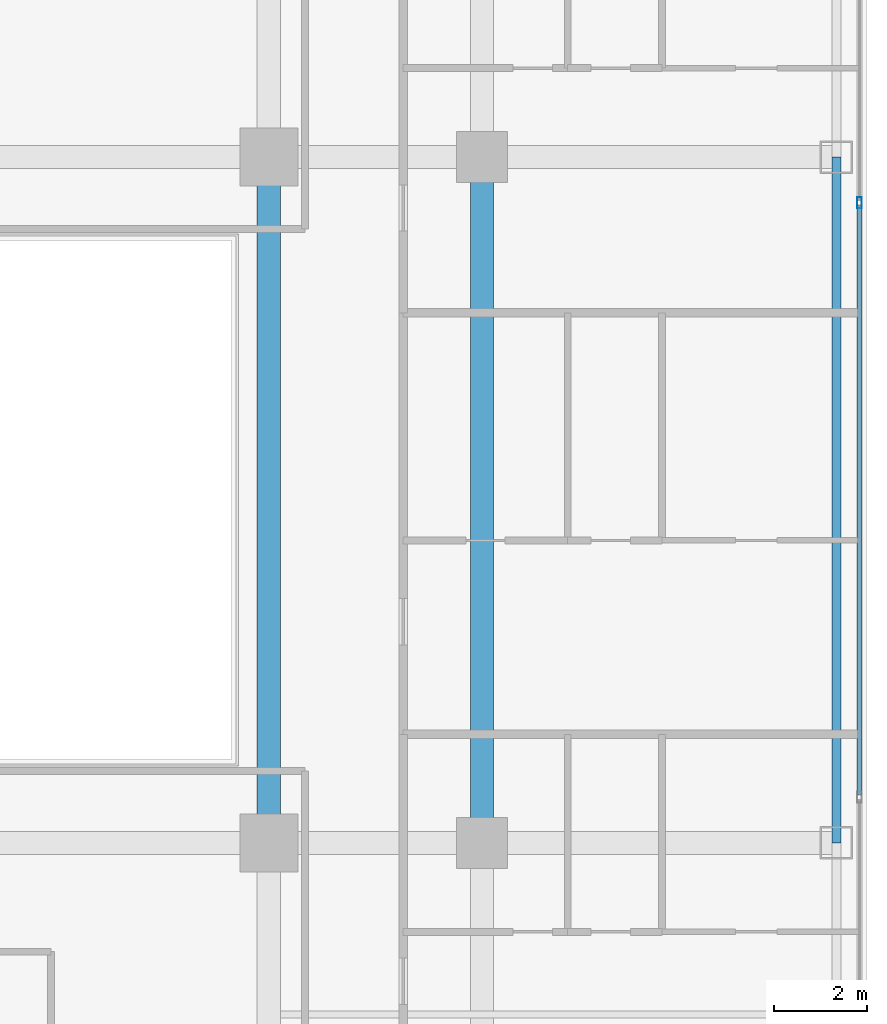
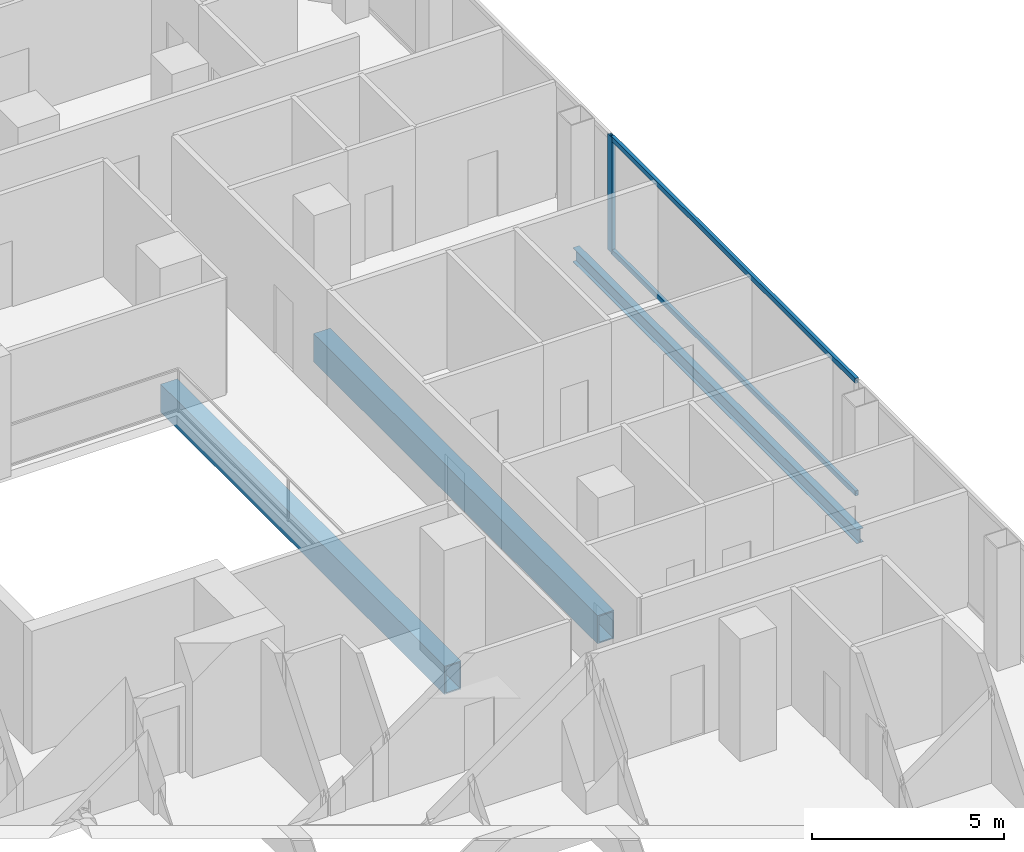
# One storey, part 11 of 29: 3 beams, 3 members, 1 element without a shape of its own.
"""IFC4 building model written with IfcOpenShell, lengths in metres."""

from ifc_helpers import new_model, si_unit, direction, frame, origin, origin_2d, place, context, subcontext, project, spatial, hollow_rectangle, i_section, extrude, material, layer, layer_set, material_profile, profile_set, type_object, element, aggregate, save


model = new_model("IFC4")

# Units and contexts
model_context = context("Model", 3, precision=1e-05, world=origin(), true_north=direction((0.0, 1.0)))
body_context = subcontext(model_context, "Body", "Model", "MODEL_VIEW")
ifc_project = project(units=[si_unit("LENGTHUNIT", "METRE"), si_unit("AREAUNIT", "SQUARE_METRE"), si_unit("VOLUMEUNIT", "CUBIC_METRE"), si_unit("PLANEANGLEUNIT", "RADIAN"), si_unit("MASSUNIT", "GRAM", prefix="KILO")], contexts=[model_context])

# Site, building, storey
site_placement = place(None, origin())
site = spatial("IfcSite", under=ifc_project, at=site_placement, CompositionType="ELEMENT")
building_placement = place(site_placement, origin())
building = spatial("IfcBuilding", under=site, at=building_placement, Name="Khorvyn Point Tower", CompositionType="ELEMENT")
storey_placement = place(building_placement, frame((0.0, 0.0, 136.800048828125)))
storey = spatial("IfcBuildingStorey", under=building, at=storey_placement, Name="L34", CompositionType="ELEMENT", Elevation=136.800048828125)

# Curtain wall, members
ifc_material_1 = material(Name="Anodised aluminium 6063-T6 and laminated Low-E glass", Category="aluminium")
ifc_layer = layer(ifc_material_1, 0.18994140625)
ifc_layer_set = layer_set([ifc_layer], Name="Stick-Built Acoustic Curtain Wall CW-SYS-03")
curtain_wall_type = type_object("IfcCurtainWallType", Name="Stick-Built Acoustic Curtain Wall CW-SYS-03", PredefinedType="NOTDEFINED", material=ifc_layer_set)
curtain_wall_placement = place(storey_placement, origin())
curtain_wall = element("IfcCurtainWall", 1, at=curtain_wall_placement, inside=storey, type_object=curtain_wall_type, Name="Curtain Wall", PredefinedType="NOTDEFINED")
ifc_material_2 = material(Name="Anodised aluminium 6063-T6", Category="aluminium")
ifc_material_profile_1 = material_profile(ifc_material_2, hollow_rectangle(XDim=0.10009765625, YDim=0.239990234375, WallThickness=0.0048828125, at=origin_2d()))
ifc_profile_set_1 = profile_set([ifc_material_profile_1], Name="Anodised aluminium 6063-T6 ALU-MUL-100x240")
member_type_1 = type_object("IfcMemberType", Name="Anodised Aluminium 6063-T6 Mullion ALU-MUL-100x240", PredefinedType="MULLION", material=ifc_profile_set_1)
member_1_placement = place(storey_placement, frame((27.550048828125, 6.416748046875, 0.0), z_axis=(0.0, 0.0, 1.0), x_axis=(1.0, 0.0, 0.0)))
member_1 = element("IfcMember", 2, at=member_1_placement, type_object=member_type_1, Name="Transom", PredefinedType="MULLION", context=body_context, shape_type="SweptSolid", body=[
    extrude(hollow_rectangle(XDim=0.10009765625, YDim=0.239990234375, WallThickness=0.0048828125, at=origin_2d()), origin(), (0.0, 0.0, 1.0), 3.679931640625),
])
ifc_material_profile_2 = material_profile(ifc_material_2, hollow_rectangle(XDim=0.10009765625, YDim=0.159912109375, WallThickness=0.00439453125, at=origin_2d()))
ifc_profile_set_2 = profile_set([ifc_material_profile_2], Name="Anodised aluminium 6063-T6 ALU-TRN-100x160")
member_type_2 = type_object("IfcMemberType", Name="Anodised Aluminium 6063-T6 Transom ALU-TRN-100x160", PredefinedType="USERDEFINED", material=ifc_profile_set_2)
member_2_placement = place(storey_placement, frame((27.550048828125, 6.36669921875, 0.050048828125), z_axis=(0.0, -1.0, 0.0), x_axis=(1.0, 0.0, 0.0)))
member_2 = element("IfcMember", 3, at=member_2_placement, type_object=member_type_2, Name="Transom", ObjectType="TRANSOM", PredefinedType="USERDEFINED", context=body_context, shape_type="SweptSolid", body=[
    extrude(hollow_rectangle(XDim=0.10009765625, YDim=0.159912109375, WallThickness=0.00439453125, at=origin_2d()), origin(), (0.0, 0.0, 1.0), 12.7333984375),
])
member_3_placement = place(storey_placement, frame((27.550048828125, 6.36669921875, 3.6298828125), z_axis=(0.0, -1.0, 0.0), x_axis=(1.0, 0.0, 0.0)))
member_3 = element("IfcMember", 4, at=member_3_placement, type_object=member_type_2, Name="Transom", ObjectType="TRANSOM", PredefinedType="USERDEFINED", context=body_context, shape_type="SweptSolid", body=[
    extrude(hollow_rectangle(XDim=0.10009765625, YDim=0.159912109375, WallThickness=0.00439453125, at=origin_2d()), origin(), (0.0, 0.0, 1.0), 12.7333984375),
])
aggregate(curtain_wall, [member_1, member_2, member_3])

# Beams
ifc_material_3 = material(Name="Steel S355", Category="steel")
ifc_material_profile_3 = material_profile(ifc_material_3, i_section(OverallWidth=0.199951171875, OverallDepth=0.449951171875, WebThickness=0.009033203125, FlangeThickness=0.013916015625, at=origin_2d()))
ifc_profile_set_3 = profile_set([ifc_material_profile_3], Name="Steel S355 H450x200x9x14")
beam_type_1 = type_object("IfcBeamType", Name="Steel S355 Spandrel H450x200x9x14", PredefinedType="SPANDREL", material=ifc_profile_set_3)
beam_placement = place(storey_placement, frame((27.050048828125, -7.39990234375, -0.505126953125), z_axis=(0.0, 1.0, 0.0), x_axis=(-1.0, 0.0, 0.0)))
element("IfcBeam", 5, at=beam_placement, inside=storey, type_object=beam_type_1, Name="Beam", PredefinedType="SPANDREL", context=body_context, shape_type="SweptSolid", body=[
    extrude(i_section(OverallWidth=0.199951171875, OverallDepth=0.449951171875, WebThickness=0.009033203125, FlangeThickness=0.013916015625, at=origin_2d()), origin(), (0.0, 0.0, 1.0), 14.7998046875),
])
ifc_material_4 = material(Name="Steel S450", Category="steel")
ifc_material_profile_4 = material_profile(ifc_material_4, hollow_rectangle(XDim=0.5, YDim=0.89990234375, WallThickness=0.0400390625, at=origin_2d()))
ifc_profile_set_4 = profile_set([ifc_material_profile_4], Name="Steel S450 BOX900x500x40")
beam_type_2 = type_object("IfcBeamType", Name="Steel S450 Beam BOX900x500x40", PredefinedType="BEAM", material=ifc_profile_set_4)
for number, where, z_axis, x_axis, name in (
    (6, (14.800048828125, -7.39990234375, -0.72998046875), (0.0, 1.0, 0.0), (-1.0, 0.0, 0.0), "L34 Radial Transfer Girder"),
    (7, (19.39990234375, -7.39990234375, -0.72998046875), (0.0, 1.0, 0.0), (-1.0, 0.0, 0.0), "Beam"),
):
    element("IfcBeam", number, at=place(storey_placement, frame(where, z_axis=z_axis, x_axis=x_axis)), inside=storey, type_object=beam_type_2, Name=name, PredefinedType="BEAM", context=body_context, shape_type="SweptSolid", body=[
        extrude(hollow_rectangle(XDim=0.5, YDim=0.89990234375, WallThickness=0.0400390625, at=origin_2d()), origin(), (0.0, 0.0, 1.0), 14.7998046875),
    ])

save(model, "model.ifc")
